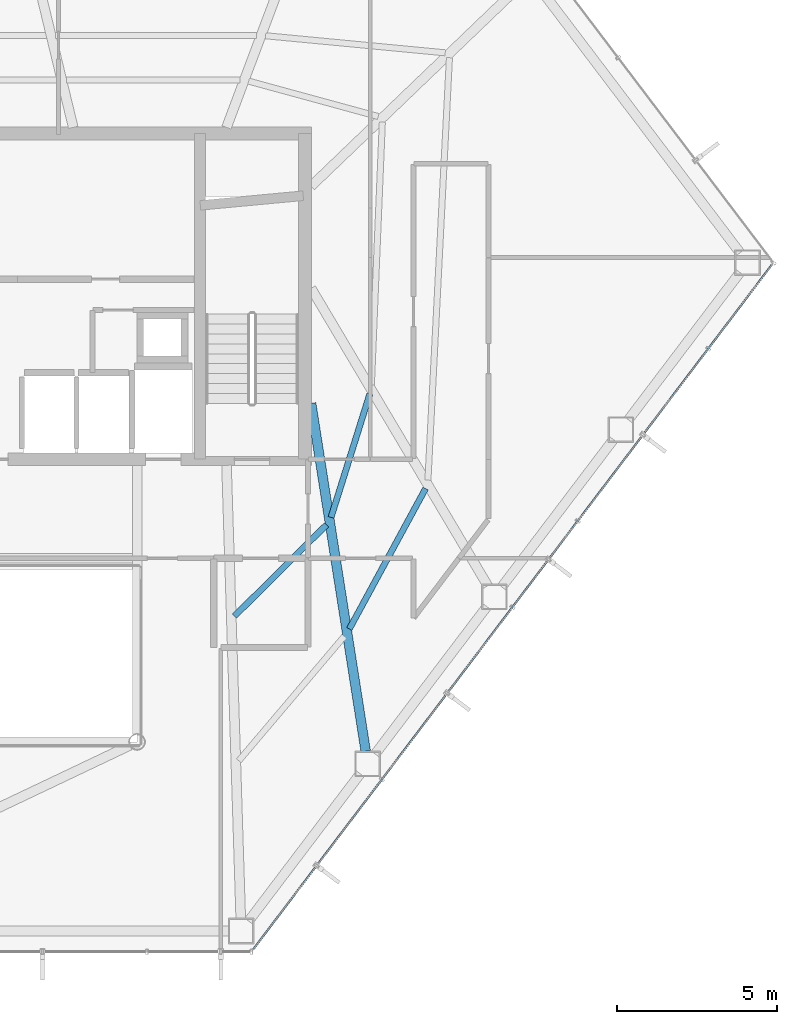
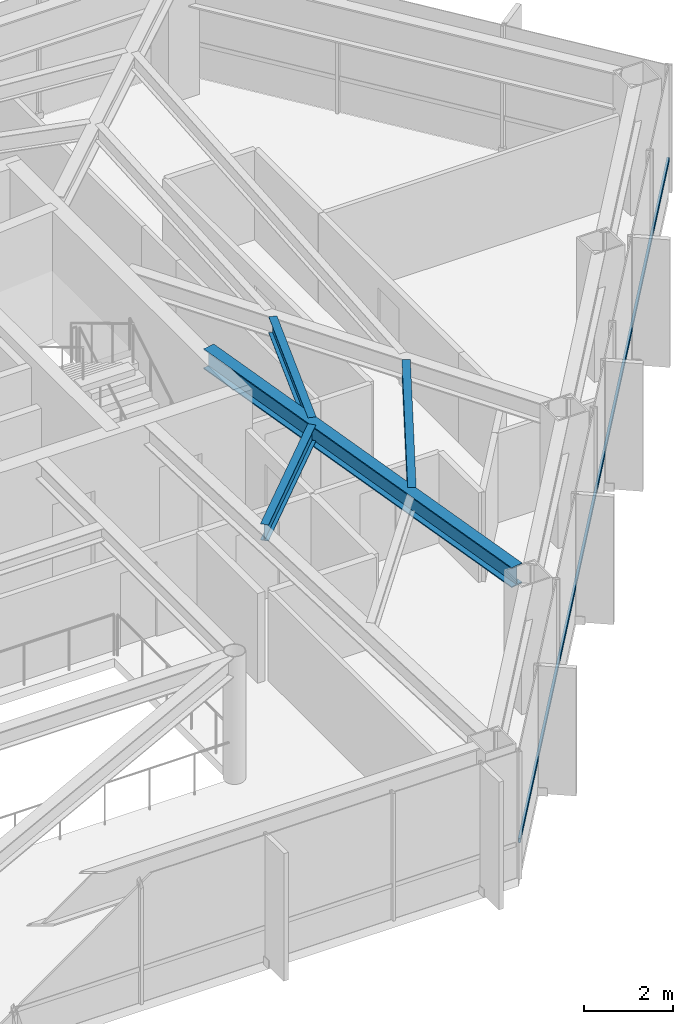
# One storey, part 18 of 28: 4 beams, 1 member, 1 element without a shape of its own.
"""IFC4 building model written with IfcOpenShell, lengths in metres."""

from ifc_helpers import new_model, si_unit, direction, frame, origin, origin_2d, place, context, subcontext, project, spatial, hollow_rectangle, i_section, extrude, material, layer, layer_set, material_profile, profile_set, type_object, element, aggregate, save


model = new_model("IFC4")

# Units and contexts
model_context = context("Model", 3, precision=1e-05, world=origin(), true_north=direction((0.0, 1.0)))
body_context = subcontext(model_context, "Body", "Model", "MODEL_VIEW")
ifc_project = project(units=[si_unit("LENGTHUNIT", "METRE"), si_unit("AREAUNIT", "SQUARE_METRE"), si_unit("VOLUMEUNIT", "CUBIC_METRE"), si_unit("PLANEANGLEUNIT", "RADIAN"), si_unit("MASSUNIT", "GRAM", prefix="KILO")], contexts=[model_context])

# Site, building, storey
site_placement = place(None, origin())
site = spatial("IfcSite", under=ifc_project, at=site_placement, CompositionType="ELEMENT")
building_placement = place(site_placement, origin())
building = spatial("IfcBuilding", under=site, at=building_placement, Name="Zarrinselat Tower", CompositionType="ELEMENT")
storey_placement = place(building_placement, frame((0.0, 0.0, 145.860107421875)))
storey = spatial("IfcBuildingStorey", under=building, at=storey_placement, Name="L35", CompositionType="ELEMENT", Elevation=145.860107421875)

# Beams
ifc_material_1 = material(Name="Steel S355J2", Category="steel")
ifc_material_profile_1 = material_profile(ifc_material_1, i_section(OverallWidth=0.300048828125, OverallDepth=0.550048828125, WebThickness=0.014892578125, FlangeThickness=0.029052734375, at=origin_2d()), Name="HEB 550")
ifc_profile_set_1 = profile_set([ifc_material_profile_1], Name="Steel S355J2")
beam_type_1 = type_object("IfcBeamType", Name="BM-HEB550", PredefinedType="BEAM", material=ifc_profile_set_1)
beam_1_placement = place(storey_placement, frame((48.449951171875, 35.0, 3.224853515625), z_axis=(0.154967345006, -0.987919592873, 0.0), x_axis=(0.987919592873, 0.154967345006, 0.0)))
element("IfcBeam", 1, at=beam_1_placement, inside=storey, type_object=beam_type_1, Name="L35 Radial Primary Girder RG12", PredefinedType="BEAM", context=body_context, shape_type="SweptSolid", body=[
    extrude(i_section(OverallWidth=0.300048828125, OverallDepth=0.550048828125, WebThickness=0.014892578125, FlangeThickness=0.029052734375, at=origin_2d()), origin(), (0.0, 0.0, 1.0), 11.023193359375),
])
ifc_material_2 = material(Name="Steel S355J2", Category="steel")
ifc_material_profile_2 = material_profile(ifc_material_2, i_section(OverallWidth=0.18994140625, OverallDepth=0.449951171875, WebThickness=0.009521484375, FlangeThickness=0.0146484375, at=origin_2d()), Name="IPE 450")
ifc_profile_set_2 = profile_set([ifc_material_profile_2], Name="Steel S355J2")
beam_type_2 = type_object("IfcBeamType", Name="BM-IPE450", PredefinedType="JOIST", material=ifc_profile_set_2)
beam_2_placement = place(storey_placement, frame((46.050537109375, 28.338623046875, 3.27490234375), z_axis=(0.709658133739, 0.704546189556, 0.0), x_axis=(-0.704546189556, 0.709658133739, 0.0)))
element("IfcBeam", 2, at=beam_2_placement, inside=storey, type_object=beam_type_2, Name="L35 Composite Floor Joist 3-2", PredefinedType="JOIST", context=body_context, shape_type="SweptSolid", body=[
    extrude(i_section(OverallWidth=0.18994140625, OverallDepth=0.449951171875, WebThickness=0.009521484375, FlangeThickness=0.0146484375, at=origin_2d()), origin(), (0.0, 0.0, 1.0), 4.0595703125),
])
beam_3_placement = place(storey_placement, frame((49.644287109375, 27.935546875, 3.27490234375), z_axis=(0.477230770349, 0.878778010553, 0.0), x_axis=(-0.878778010553, 0.477230770349, 0.0)))
element("IfcBeam", 3, at=beam_3_placement, inside=storey, type_object=beam_type_2, Name="L35 Composite Floor Joist 4-1", PredefinedType="JOIST", context=body_context, shape_type="SweptSolid", body=[
    extrude(i_section(OverallWidth=0.18994140625, OverallDepth=0.449951171875, WebThickness=0.009521484375, FlangeThickness=0.0146484375, at=origin_2d()), origin(), (0.0, 0.0, 1.0), 5.003173828125),
])
beam_4_placement = place(storey_placement, frame((49.07275390625, 31.430908203125, 3.27490234375), z_axis=(0.299549572909, 0.954080737343, 0.0), x_axis=(-0.954080737343, 0.299549572909, 0.0)))
element("IfcBeam", 4, at=beam_4_placement, inside=storey, type_object=beam_type_2, Name="L35 Composite Floor Joist 4-2", PredefinedType="JOIST", context=body_context, shape_type="SweptSolid", body=[
    extrude(i_section(OverallWidth=0.18994140625, OverallDepth=0.449951171875, WebThickness=0.009521484375, FlangeThickness=0.0146484375, at=origin_2d()), origin(), (0.0, 0.0, 1.0), 4.056396484375),
])

# Curtain wall, member
ifc_material_3 = material(Name="Extruded Aluminium Alloy EN AW-6063 T6", Category="aluminium")
ifc_layer = layer(ifc_material_3, 0.175048828125)
ifc_layer_set = layer_set([ifc_layer], Name="Extruded Aluminium Alloy EN AW-6063 T6")
curtain_wall_type = type_object("IfcCurtainWallType", Name="CWS-HTL", PredefinedType="NOTDEFINED", material=ifc_layer_set)
curtain_wall_placement = place(storey_placement, origin())
curtain_wall = element("IfcCurtainWall", 5, at=curtain_wall_placement, inside=storey, type_object=curtain_wall_type, Name="L35 Unitised Curtain Wall CW-L35-E05", PredefinedType="NOTDEFINED")
ifc_material_4 = material(Name="Extruded Aluminium Alloy EN AW-6063 T6", Category="aluminium")
ifc_material_profile_3 = material_profile(ifc_material_4, hollow_rectangle(XDim=0.06005859375, YDim=0.1201171875, WallThickness=0.00390625, at=origin_2d()), Name="RHS 120x60x4")
ifc_profile_set_3 = profile_set([ifc_material_profile_3], Name="Extruded Aluminium Alloy EN AW-6063 T6")
member_type = type_object("IfcMemberType", Name="MEM-CW-TRN2", PredefinedType="USERDEFINED", material=ifc_profile_set_3)
member_placement = place(storey_placement, frame((46.634765625, 17.9033203125, 0.949951171875), z_axis=(0.603858911734, 0.797091221078, 0.0), x_axis=(-0.797091221078, 0.603858911734, 0.0)))
member = element("IfcMember", 6, at=member_placement, type_object=member_type, Name="CW-L35-E05 Transom 1", ObjectType="TRANSOM", PredefinedType="USERDEFINED", context=body_context, shape_type="SweptSolid", body=[
    extrude(hollow_rectangle(XDim=0.06005859375, YDim=0.1201171875, WallThickness=0.00390625, at=origin_2d()), origin(), (0.0, 0.0, 1.0), 26.8876953125),
])
aggregate(curtain_wall, [member])

save(model, "model.ifc")
